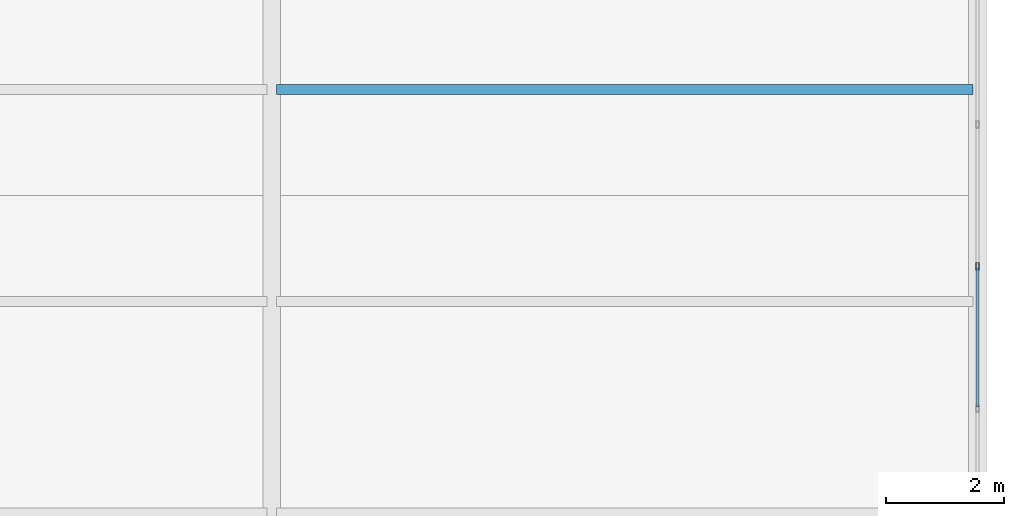
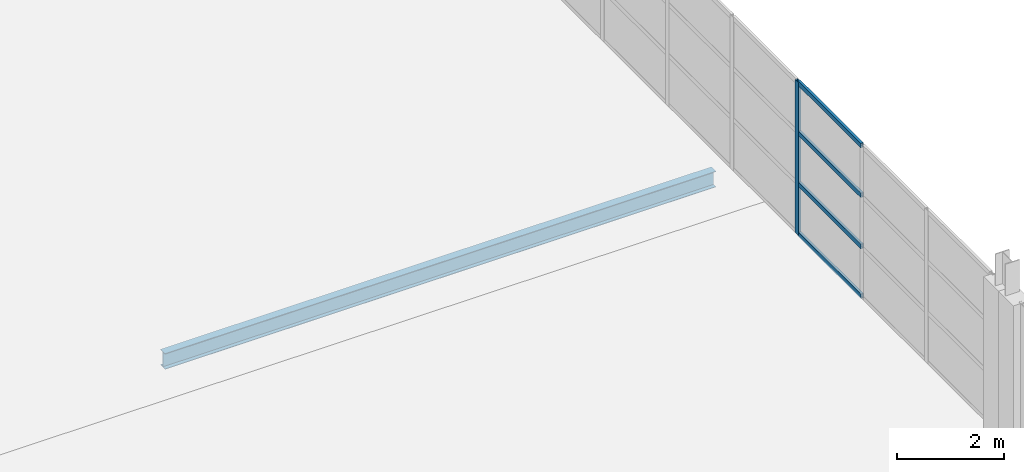
# One storey, part 86 of 158: 5 members, 1 beam, 1 element without a shape of its own.
"""IFC4 building model written with IfcOpenShell, lengths in metres."""

from ifc_helpers import new_model, si_unit, direction, frame, origin, origin_2d, place, context, subcontext, project, spatial, hollow_rectangle, i_section, extrude, material, layer, layer_set, material_profile, profile_set, type_object, element, aggregate, save


model = new_model("IFC4")

# Units and contexts
model_context = context("Model", 3, precision=1e-05, world=origin(), true_north=direction((0.0, 1.0)))
body_context = subcontext(model_context, "Body", "Model", "MODEL_VIEW")
ifc_project = project(units=[si_unit("LENGTHUNIT", "METRE"), si_unit("AREAUNIT", "SQUARE_METRE"), si_unit("VOLUMEUNIT", "CUBIC_METRE"), si_unit("PLANEANGLEUNIT", "RADIAN"), si_unit("MASSUNIT", "GRAM", prefix="KILO")], contexts=[model_context])

# Site, building, storey
site_placement = place(None, origin())
site = spatial("IfcSite", under=ifc_project, at=site_placement, CompositionType="ELEMENT")
building_placement = place(site_placement, origin())
building = spatial("IfcBuilding", under=site, at=building_placement, Name="Zilviju Railside Exhibition Hall", CompositionType="ELEMENT")
storey_placement = place(building_placement, frame((0.0, 0.0, 4.199951171875)))
storey = spatial("IfcBuildingStorey", under=building, at=storey_placement, Name="L02", CompositionType="ELEMENT", Elevation=4.199951171875)

# Beam
ifc_material_1 = material(Name="Steel S355J2", Category="steel")
ifc_material_profile_1 = material_profile(ifc_material_1, i_section(OverallWidth=0.169921875, OverallDepth=0.360107421875, WebThickness=0.008056640625, FlangeThickness=0.0126953125, at=origin_2d()), Name="IPE 360")
ifc_profile_set_1 = profile_set([ifc_material_profile_1], Name="Steel S355J2")
beam_type = type_object("IfcBeamType", Name="BM-IPE360", PredefinedType="JOIST", material=ifc_profile_set_1)
beam_placement = place(storey_placement, frame((204.080078125, 28.800048828125, -0.510009765625), z_axis=(1.0, 0.0, 0.0), x_axis=(0.0, 1.0, 0.0)))
element("IfcBeam", 1, at=beam_placement, inside=storey, type_object=beam_type, Name="Composite Floor Joist L02 Y=28.80 (204.0..216.0)", PredefinedType="JOIST", context=body_context, shape_type="SweptSolid", body=[
    extrude(i_section(OverallWidth=0.169921875, OverallDepth=0.360107421875, WebThickness=0.008056640625, FlangeThickness=0.0126953125, at=origin_2d()), origin(), (0.0, 0.0, 1.0), 11.83984375),
])

# Curtain wall, members
ifc_material_2 = material(Name="Thermally broken aluminium-steel triple-glazed curtain wall", Category="steel")
ifc_layer = layer(ifc_material_2, 0.179931640625)
ifc_layer_set = layer_set([ifc_layer], Name="Thermally broken aluminium-steel triple-glazed curtain wall")
curtain_wall_type = type_object("IfcCurtainWallType", Name="CW-BAY-10", PredefinedType="USERDEFINED", material=ifc_layer_set)
curtain_wall_placement = place(storey_placement, origin())
curtain_wall = element("IfcCurtainWall", 2, at=curtain_wall_placement, inside=storey, type_object=curtain_wall_type, Name="South Hall East Glazed Gable L02 (18..36)", ObjectType="GLAZED CURTAIN WALL", PredefinedType="USERDEFINED")
ifc_material_3 = material(Name="Thermally broken anodized aluminium mullion", Category="aluminium")
ifc_material_profile_2 = material_profile(ifc_material_3, hollow_rectangle(XDim=0.054931640625, YDim=0.1298828125, WallThickness=0.0048828125, at=origin_2d()), Name="MULLION 130x55x5")
ifc_profile_set_2 = profile_set([ifc_material_profile_2], Name="Thermally broken anodized aluminium mullion")
member_type_1 = type_object("IfcMemberType", Name="CWM-55x130", PredefinedType="MULLION", material=ifc_profile_set_2)
member_1_placement = place(storey_placement, frame((216.0, 25.79296875, 0.0), z_axis=(0.0, 0.0, 1.0), x_axis=(1.0, 0.0, 0.0)))
member_1 = element("IfcMember", 3, at=member_1_placement, type_object=member_type_1, Name="CW-10 mullion 5", PredefinedType="MULLION", context=body_context, shape_type="SweptSolid", body=[
    extrude(hollow_rectangle(XDim=0.054931640625, YDim=0.1298828125, WallThickness=0.0048828125, at=origin_2d()), origin(), (0.0, 0.0, 1.0), 3.47998046875),
])
ifc_material_4 = material(Name="Thermally broken anodized aluminium transom", Category="aluminium")
ifc_material_profile_3 = material_profile(ifc_material_4, hollow_rectangle(XDim=0.054931640625, YDim=0.10498046875, WallThickness=0.0048828125, at=origin_2d()), Name="TRANSOM 105x55x5")
ifc_profile_set_3 = profile_set([ifc_material_profile_3], Name="Thermally broken anodized aluminium transom")
member_type_2 = type_object("IfcMemberType", Name="CWT-55x105", PredefinedType="USERDEFINED", material=ifc_profile_set_3)
member_2_placement = place(storey_placement, frame((216.0, 25.765380859375, 0.027587890625), z_axis=(0.0, -1.0, 0.0), x_axis=(1.0, 0.0, 0.0)))
member_2 = element("IfcMember", 4, at=member_2_placement, type_object=member_type_2, Name="CW-10 transom 5.1", ObjectType="TRANSOM", PredefinedType="USERDEFINED", context=body_context, shape_type="SweptSolid", body=[
    extrude(hollow_rectangle(XDim=0.054931640625, YDim=0.10498046875, WallThickness=0.0048828125, at=origin_2d()), origin(), (0.0, 0.0, 1.0), 2.359375),
])
member_3_placement = place(storey_placement, frame((216.0, 25.765380859375, 1.16015625), z_axis=(0.0, -1.0, 0.0), x_axis=(1.0, 0.0, 0.0)))
member_3 = element("IfcMember", 5, at=member_3_placement, type_object=member_type_2, Name="CW-10 transom 5.2", ObjectType="TRANSOM", PredefinedType="USERDEFINED", context=body_context, shape_type="SweptSolid", body=[
    extrude(hollow_rectangle(XDim=0.054931640625, YDim=0.10498046875, WallThickness=0.0048828125, at=origin_2d()), origin(), (0.0, 0.0, 1.0), 2.359375),
])
member_4_placement = place(storey_placement, frame((216.0, 25.765380859375, 2.320068359375), z_axis=(0.0, -1.0, 0.0), x_axis=(1.0, 0.0, 0.0)))
member_4 = element("IfcMember", 6, at=member_4_placement, type_object=member_type_2, Name="CW-10 transom 5.3", ObjectType="TRANSOM", PredefinedType="USERDEFINED", context=body_context, shape_type="SweptSolid", body=[
    extrude(hollow_rectangle(XDim=0.054931640625, YDim=0.10498046875, WallThickness=0.0048828125, at=origin_2d()), origin(), (0.0, 0.0, 1.0), 2.359375),
])
member_5_placement = place(storey_placement, frame((216.0, 25.765380859375, 3.45263671875), z_axis=(0.0, -1.0, 0.0), x_axis=(1.0, 0.0, 0.0)))
member_5 = element("IfcMember", 7, at=member_5_placement, type_object=member_type_2, Name="CW-10 transom 5.4", ObjectType="TRANSOM", PredefinedType="USERDEFINED", context=body_context, shape_type="SweptSolid", body=[
    extrude(hollow_rectangle(XDim=0.054931640625, YDim=0.10498046875, WallThickness=0.0048828125, at=origin_2d()), origin(), (0.0, 0.0, 1.0), 2.359375),
])
aggregate(curtain_wall, [member_1, member_2, member_3, member_4, member_5])

save(model, "model.ifc")
